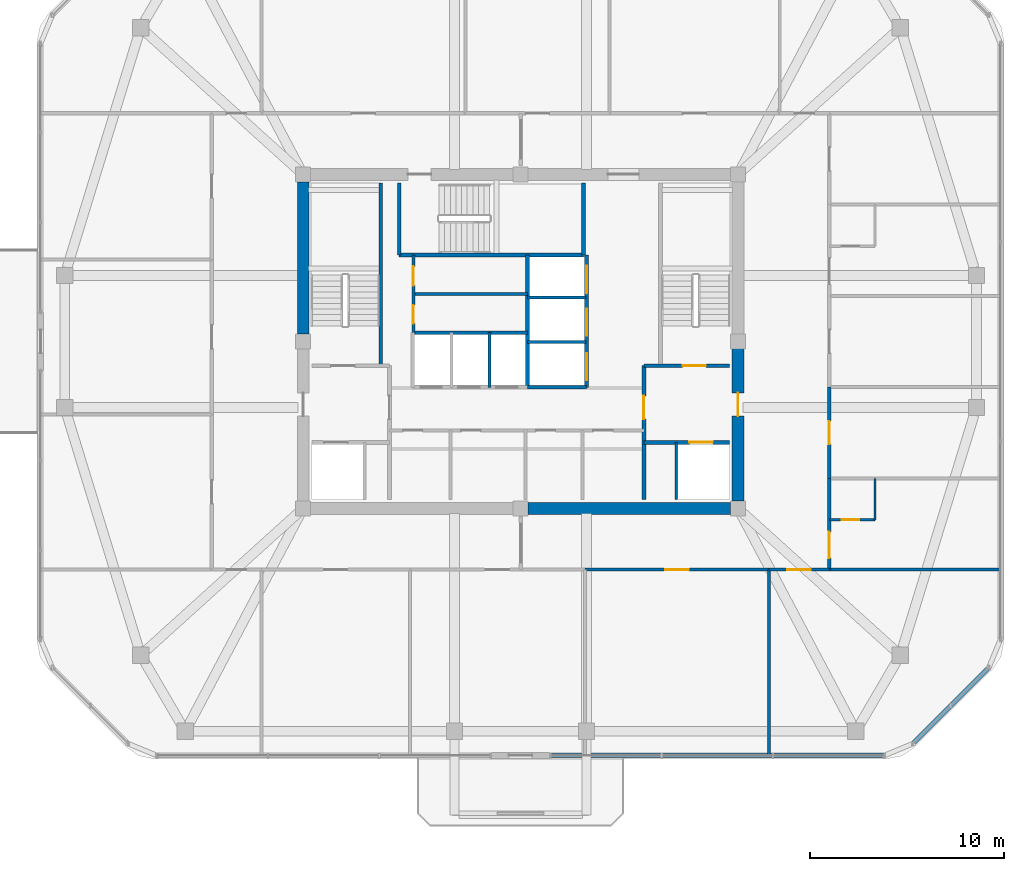
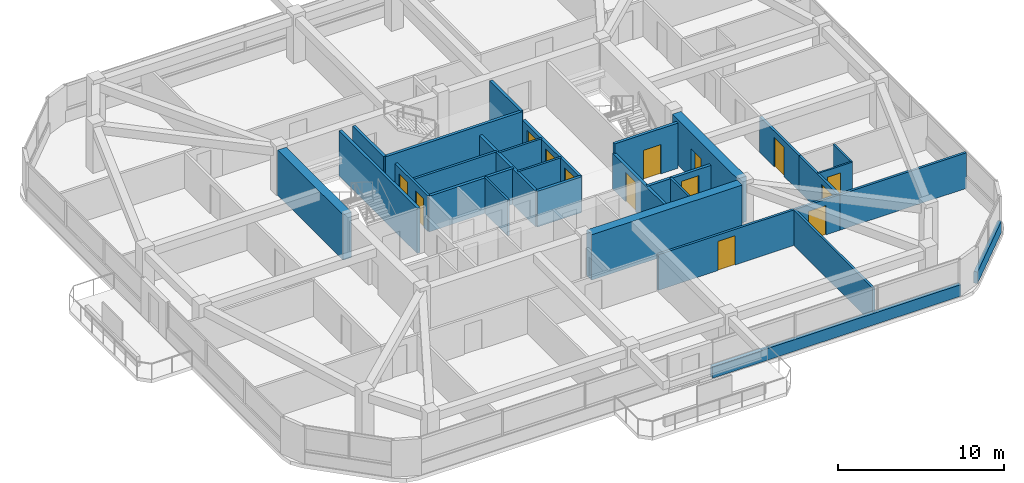
# One storey, part 9 of 13: 30 walls, 14 doors, 14 openings.
"""IFC4 building model written with IfcOpenShell, lengths in metres."""

from ifc_helpers import new_model, si_unit, derived_unit, direction, frame, frame_2d, origin, place, context, subcontext, project, spatial, rectangle, extrude, material, layer, layer_set, type_object, element, fill, save


model = new_model("IFC4")

# Units and contexts
model_context = context("Model", 3, precision=1e-05, world=origin(), true_north=direction((0.0, 1.0)))
body_context = subcontext(model_context, "Body", "Model", "MODEL_VIEW")
ifc_project = project(units=[si_unit("LENGTHUNIT", "METRE"), si_unit("AREAUNIT", "SQUARE_METRE"), si_unit("VOLUMEUNIT", "CUBIC_METRE"), si_unit("PLANEANGLEUNIT", "RADIAN"), si_unit("MASSUNIT", "GRAM", prefix="KILO"), derived_unit("THERMALTRANSMITTANCEUNIT", [(si_unit("POWERUNIT", "WATT"), 1), (si_unit("LENGTHUNIT", "METRE"), -2), (si_unit("THERMODYNAMICTEMPERATUREUNIT", "KELVIN"), -1)])], contexts=[model_context])

# Site, building, storey
site_placement = place(None, origin())
site = spatial("IfcSite", under=ifc_project, at=site_placement, CompositionType="ELEMENT")
building_placement = place(site_placement, origin())
building = spatial("IfcBuilding", under=site, at=building_placement, Name="Koralith Skygarden Medical Center", CompositionType="ELEMENT")
storey_placement = place(building_placement, frame((0.0, 0.0, 264.419921875)))
storey = spatial("IfcBuildingStorey", under=building, at=storey_placement, Name="L68", CompositionType="ELEMENT", Elevation=264.419921875)

# Walls
ifc_material_1 = material(Name="Gypsum Board Partition")
ifc_layer_1 = layer(ifc_material_1, 0.14990234375)
ifc_layer_set_1 = layer_set([ifc_layer_1], Name="Gypsum Board Partition")
wall_type_1 = type_object("IfcWallType", Name="Clinical Acoustic Partition 150", PredefinedType="PARTITIONING", material=ifc_layer_set_1)
wall_1_placement = place(storey_placement, frame((49.787109375, 14.14990234375, 0.0), z_axis=(0.0, 0.0, 1.0), x_axis=(0.0, -1.0, 0.0)))
element("IfcWall", 1, at=wall_1_placement, inside=storey, type_object=wall_type_1, Name="L68 Clinical Acoustic Partition 150 W-PART-L68-S-04", PredefinedType="PARTITIONING", context=body_context, shape_type="SweptSolid", body=[
    extrude(rectangle(XDim=9.5498046875, YDim=0.14990234375, at=frame_2d((4.77490234375, 0.0))), origin(), (0.0, 0.0, 1.0), 2.610107421875),
])
ifc_layer_2 = layer(ifc_material_1, 0.1650390625)
ifc_layer_set_2 = layer_set([ifc_layer_2], Name="Gypsum Board Partition")
wall_type_2 = type_object("IfcWallType", Name="Clinical Corridor Partition 165", PredefinedType="PARTITIONING", material=ifc_layer_set_2)
wall_2_placement = place(storey_placement, frame((52.89990234375, 14.14990234375, 0.0), z_axis=(0.0, 0.0, 1.0), x_axis=(1.0, 0.0, 0.0)))
element("IfcWall", 2, at=wall_2_placement, inside=storey, type_object=wall_type_2, Name="L68 Clinical Corridor Partition 165 W-WB-L68-SE", PredefinedType="PARTITIONING", context=body_context, shape_type="SweptSolid", body=[
    extrude(rectangle(XDim=8.800048828125, YDim=0.1650390625, at=frame_2d((4.39990234375, 0.0))), origin(), (0.0, 0.0, 1.0), 2.610107421875),
])

# Wall, opening, door
wall_3_placement = place(storey_placement, frame((40.31494140625, 14.14990234375, 0.0), z_axis=(0.0, 0.0, 1.0), x_axis=(1.0, 0.0, 0.0)))
wall_3 = element("IfcWall", 3, at=wall_3_placement, inside=storey, type_object=wall_type_2, Name="L68 Clinical Corridor Partition 165 W-CORR-L68-S-04", PredefinedType="PARTITIONING", context=body_context, shape_type="SweptSolid", body=[
    extrude(rectangle(XDim=9.47216796875, YDim=0.1650390625, at=frame_2d((4.736083984375, 0.0))), origin(), (0.0, 0.0, 1.0), 2.610107421875),
])
opening_1_placement = place(wall_3_placement, frame((4.135986328125, 0.0, 0.0)))
opening_1 = element("IfcOpeningElement", 4, at=opening_1_placement, cuts=wall_3, Name="Opening D-CLN", PredefinedType="OPENING", context=body_context, shape_type="SweptSolid", body=[
    extrude(rectangle(XDim=1.199951171875, YDim=2.14990234375, at=frame_2d((0.60009765625, 1.074951171875))), frame((0.0, 0.092529296875, 0.0), z_axis=(0.0, -1.0, 0.0), x_axis=(1.0, 0.0, 0.0)), (0.0, 0.0, 1.0), 0.18505859375),
])
ifc_material_2 = material(Name="Aluminium 6063-T6", Category="aluminium")
door_type_1 = type_object("IfcDoorType", Name="Clinical Corridor Door D-CLN 1200", OperationType="NOTDEFINED", PredefinedType="DOOR", material=ifc_material_2)
door_1_placement = place(opening_1_placement, frame((1.199951171875, 0.0, 0.0), z_axis=(0.0, 0.0, 1.0), x_axis=(-1.0, 0.0, 0.0)))
door_1 = element("IfcDoor", 5, at=door_1_placement, inside=storey, type_object=door_type_1, Name="L68 Epidemiology Huddle Room 09 Door", OperationType="SINGLE_SWING_RIGHT", OverallHeight=2.14990234375, OverallWidth=1.199951171875, PredefinedType="DOOR", context=body_context, shape_type="SweptSolid", body=[
    extrude(rectangle(XDim=1.199951171875, YDim=2.14990234375, at=frame_2d((0.60009765625, 1.074951171875))), frame((0.0, 0.02490234375, 0.0), z_axis=(0.0, -1.0, 0.0), x_axis=(1.0, 0.0, 0.0)), (0.0, 0.0, 1.0), 0.050048828125),
])
fill(opening_1, door_1)

wall_4_placement = place(storey_placement, frame((49.787109375, 14.14990234375, 0.0), z_axis=(0.0, 0.0, 1.0), x_axis=(1.0, 0.0, 0.0)))
wall_4 = element("IfcWall", 6, at=wall_4_placement, inside=storey, type_object=wall_type_2, Name="L68 Clinical Corridor Partition 165 W-CORR-L68-S-05", PredefinedType="PARTITIONING", context=body_context, shape_type="SweptSolid", body=[
    extrude(rectangle(XDim=3.11279296875, YDim=0.1650390625, at=frame_2d((1.556396484375, 0.0))), origin(), (0.0, 0.0, 1.0), 2.610107421875),
])
opening_2_placement = place(wall_4_placement, frame((0.9560546875, 0.0, 0.0)))
opening_2 = element("IfcOpeningElement", 7, at=opening_2_placement, cuts=wall_4, Name="Opening D-CLN", PredefinedType="OPENING", context=body_context, shape_type="SweptSolid", body=[
    extrude(rectangle(XDim=1.199951171875, YDim=2.14990234375, at=frame_2d((0.60009765625, 1.074951171875))), frame((0.0, 0.092529296875, 0.0), z_axis=(0.0, -1.0, 0.0), x_axis=(1.0, 0.0, 0.0)), (0.0, 0.0, 1.0), 0.18505859375),
])
door_2_placement = place(opening_2_placement, frame((1.199951171875, 0.0, 0.0), z_axis=(0.0, 0.0, 1.0), x_axis=(-1.0, 0.0, 0.0)))
door_2 = element("IfcDoor", 8, at=door_2_placement, inside=storey, type_object=door_type_1, Name="L68 Infectious Disease Consult Office 10 Door", OperationType="SINGLE_SWING_LEFT", OverallHeight=2.14990234375, OverallWidth=1.199951171875, PredefinedType="DOOR", context=body_context, shape_type="SweptSolid", body=[
    extrude(rectangle(XDim=1.199951171875, YDim=2.14990234375, at=frame_2d((0.60009765625, 1.074951171875))), frame((0.0, 0.02490234375, 0.0), z_axis=(0.0, -1.0, 0.0), x_axis=(1.0, 0.0, 0.0)), (0.0, 0.0, 1.0), 0.050048828125),
])
fill(opening_2, door_2)

wall_5_placement = place(storey_placement, frame((52.89990234375, 14.14990234375, 0.0), z_axis=(0.0, 0.0, 1.0), x_axis=(0.0, 1.0, 0.0)))
wall_5 = element("IfcWall", 9, at=wall_5_placement, inside=storey, type_object=wall_type_2, Name="L68 Clinical Corridor Partition 165 W-CORR-L68-E-01", PredefinedType="PARTITIONING", context=body_context, shape_type="SweptSolid", body=[
    extrude(rectangle(XDim=4.7001953125, YDim=0.1650390625, at=frame_2d((2.35009765625, 0.0))), origin(), (0.0, 0.0, 1.0), 2.610107421875),
])
opening_3_placement = place(wall_5_placement, frame((0.590087890625, 0.0, 0.0)))
opening_3 = element("IfcOpeningElement", 10, at=opening_3_placement, cuts=wall_5, Name="Opening D-BED", PredefinedType="OPENING", context=body_context, shape_type="SweptSolid", body=[
    extrude(rectangle(XDim=1.35009765625, YDim=2.14990234375, at=frame_2d((0.675048828125, 1.074951171875))), frame((0.0, 0.092529296875, 0.0), z_axis=(0.0, -1.0, 0.0), x_axis=(1.0, 0.0, 0.0)), (0.0, 0.0, 1.0), 0.18505859375),
])
door_type_2 = type_object("IfcDoorType", Name="Inpatient Bed Leaf Door D-BED 1350", OperationType="NOTDEFINED", PredefinedType="DOOR", material=ifc_material_2)
door_3_placement = place(opening_3_placement, origin())
door_3 = element("IfcDoor", 11, at=door_3_placement, inside=storey, type_object=door_type_2, Name="L68 Inpatient Bedroom 14 Door", OperationType="SINGLE_SWING_LEFT", OverallHeight=2.14990234375, OverallWidth=1.35009765625, PredefinedType="DOOR", context=body_context, shape_type="SweptSolid", body=[
    extrude(rectangle(XDim=1.35009765625, YDim=2.14990234375, at=frame_2d((0.675048828125, 1.074951171875))), frame((0.0, 0.02490234375, 0.0), z_axis=(0.0, -1.0, 0.0), x_axis=(1.0, 0.0, 0.0)), (0.0, 0.0, 1.0), 0.050048828125),
])
fill(opening_3, door_3)

wall_6_placement = place(storey_placement, frame((52.89990234375, 18.85009765625, 0.0), z_axis=(0.0, 0.0, 1.0), x_axis=(0.0, 1.0, 0.0)))
wall_6 = element("IfcWall", 12, at=wall_6_placement, inside=storey, type_object=wall_type_2, Name="L68 Clinical Corridor Partition 165 W-CORR-L68-E-02", PredefinedType="PARTITIONING", context=body_context, shape_type="SweptSolid", body=[
    extrude(rectangle(XDim=4.699951171875, YDim=0.1650390625, at=frame_2d((2.35009765625, 0.0))), origin(), (0.0, 0.0, 1.0), 2.610107421875),
])
opening_4_placement = place(wall_6_placement, frame((1.75, 0.0, 0.0)))
opening_4 = element("IfcOpeningElement", 13, at=opening_4_placement, cuts=wall_6, Name="Opening D-CLN", PredefinedType="OPENING", context=body_context, shape_type="SweptSolid", body=[
    extrude(rectangle(XDim=1.199951171875, YDim=2.14990234375, at=frame_2d((0.60009765625, 1.074951171875))), frame((0.0, 0.092529296875, 0.0), z_axis=(0.0, -1.0, 0.0), x_axis=(1.0, 0.0, 0.0)), (0.0, 0.0, 1.0), 0.18505859375),
])
door_4_placement = place(opening_4_placement, origin())
door_4 = element("IfcDoor", 14, at=door_4_placement, inside=storey, type_object=door_type_1, Name="L68 Epidemiology Huddle Room 15 Door", OperationType="SINGLE_SWING_RIGHT", OverallHeight=2.14990234375, OverallWidth=1.199951171875, PredefinedType="DOOR", context=body_context, shape_type="SweptSolid", body=[
    extrude(rectangle(XDim=1.199951171875, YDim=2.14990234375, at=frame_2d((0.60009765625, 1.074951171875))), frame((0.0, 0.02490234375, 0.0), z_axis=(0.0, -1.0, 0.0), x_axis=(1.0, 0.0, 0.0)), (0.0, 0.0, 1.0), 0.050048828125),
])
fill(opening_4, door_4)

ifc_layer_3 = layer(ifc_material_1, 0.199951171875)
ifc_layer_set_3 = layer_set([ifc_layer_3], Name="Gypsum Board Partition")
wall_type_3 = type_object("IfcWallType", Name="Fire Shaft Wall 200", PredefinedType="SOLIDWALL", material=ifc_layer_set_3)
wall_7_placement = place(storey_placement, frame((43.35009765625, 20.699951171875, 0.0), z_axis=(0.0, 0.0, 1.0), x_axis=(1.0, 0.0, 0.0)))
wall_7 = element("IfcWall", 15, at=wall_7_placement, inside=storey, type_object=wall_type_3, Name="L68 Fire Shaft Wall 200 W-CORE-L68-FF2-N", PredefinedType="SOLIDWALL", context=body_context, shape_type="SweptSolid", body=[
    extrude(rectangle(XDim=4.39990234375, YDim=0.199951171875, at=frame_2d((2.199951171875, 0.0))), origin(), (0.0, 0.0, 1.0), 2.610107421875),
])
opening_5_placement = place(wall_7_placement, frame((2.35009765625, 0.0, 0.0)))
opening_5 = element("IfcOpeningElement", 16, at=opening_5_placement, cuts=wall_7, Name="Opening LD-FF", PredefinedType="OPENING", context=body_context, shape_type="SweptSolid", body=[
    extrude(rectangle(XDim=1.199951171875, YDim=2.14990234375, at=frame_2d((0.60009765625, 1.074951171875))), frame((0.0, 0.10986328125, 0.0), z_axis=(0.0, -1.0, 0.0), x_axis=(1.0, 0.0, 0.0)), (0.0, 0.0, 1.0), 0.219970703125),
])
ifc_material_3 = material(Name="Steel ASTM A500 Grade C", Category="steel")
door_type_3 = type_object("IfcDoorType", Name="Fire Lift Sliding Landing Door LD-FF 1200", OperationType="NOTDEFINED", PredefinedType="DOOR", material=ifc_material_3)
door_5_placement = place(opening_5_placement, origin())
door_5 = element("IfcDoor", 17, at=door_5_placement, inside=storey, type_object=door_type_3, Name="L68 Fire Service Elevator FF2 Landing Door", OperationType="SLIDING_TO_RIGHT", OverallHeight=2.14990234375, OverallWidth=1.199951171875, PredefinedType="DOOR", context=body_context, shape_type="SweptSolid", body=[
    extrude(rectangle(XDim=1.199951171875, YDim=2.14990234375, at=frame_2d((0.60009765625, 1.074951171875))), frame((0.0, 0.02490234375, 0.0), z_axis=(0.0, -1.0, 0.0), x_axis=(1.0, 0.0, 0.0)), (0.0, 0.0, 1.0), 0.050048828125),
])
fill(opening_5, door_5)

wall_8_placement = place(storey_placement, frame((43.35009765625, 17.75, 0.0), z_axis=(0.0, 0.0, 1.0), x_axis=(0.0, 1.0, 0.0)))
wall_8 = element("IfcWall", 18, at=wall_8_placement, inside=storey, type_object=wall_type_3, Name="L68 Fire Shaft Wall 200 W-CORE-L68-FSAEE-W", PredefinedType="SOLIDWALL", context=body_context, shape_type="SweptSolid", body=[
    extrude(rectangle(XDim=6.89990234375, YDim=0.199951171875, at=frame_2d((3.449951171875, 0.0))), origin(), (0.0, 0.0, 1.0), 2.610107421875),
])
opening_6_placement = place(wall_8_placement, frame((4.14990234375, 0.0, 0.0)))
opening_6 = element("IfcOpeningElement", 19, at=opening_6_placement, cuts=wall_8, Name="Opening D-ST60", PredefinedType="OPENING", context=body_context, shape_type="SweptSolid", body=[
    extrude(rectangle(XDim=1.199951171875, YDim=2.14990234375, at=frame_2d((0.60009765625, 1.074951171875))), frame((0.0, 0.10986328125, 0.0), z_axis=(0.0, -1.0, 0.0), x_axis=(1.0, 0.0, 0.0)), (0.0, 0.0, 1.0), 0.219970703125),
])
door_type_4 = type_object("IfcDoorType", Name="Smokeproof Stair Fire Door FD60S 1200", OperationType="NOTDEFINED", PredefinedType="DOOR", material=ifc_material_3)
door_6_placement = place(opening_6_placement, frame((1.199951171875, 0.0, 0.0), z_axis=(0.0, 0.0, 1.0), x_axis=(-1.0, 0.0, 0.0)))
door_6 = element("IfcDoor", 20, at=door_6_placement, inside=storey, type_object=door_type_4, Name="L68 East Firefighting Lobby Inner Fire Door", OperationType="SINGLE_SWING_RIGHT", OverallHeight=2.14990234375, OverallWidth=1.199951171875, PredefinedType="DOOR", context=body_context, shape_type="SweptSolid", body=[
    extrude(rectangle(XDim=1.199951171875, YDim=2.14990234375, at=frame_2d((0.60009765625, 1.074951171875))), frame((0.0, 0.02490234375, 0.0), z_axis=(0.0, -1.0, 0.0), x_axis=(1.0, 0.0, 0.0)), (0.0, 0.0, 1.0), 0.050048828125),
])
fill(opening_6, door_6)

# Walls
wall_9_placement = place(storey_placement, frame((31.449951171875, 26.35009765625, 0.0), z_axis=(0.0, 0.0, 1.0), x_axis=(1.0, 0.0, 0.0)))
element("IfcWall", 21, at=wall_9_placement, inside=storey, type_object=wall_type_3, Name="L68 Fire Shaft Wall 200 W-CORE-L68-PH-N", PredefinedType="SOLIDWALL", context=body_context, shape_type="SweptSolid", body=[
    extrude(rectangle(XDim=5.900146484375, YDim=0.199951171875, at=frame_2d((2.9501953125, 0.0))), origin(), (0.0, 0.0, 1.0), 2.610107421875),
])
wall_10_placement = place(storey_placement, frame((37.35009765625, 23.5400390625, 0.0), z_axis=(0.0, 0.0, 1.0), x_axis=(0.0, 1.0, 0.0)))
element("IfcWall", 22, at=wall_10_placement, inside=storey, type_object=wall_type_3, Name="L68 Fire Shaft Wall 200 W-CORE-L68-SV-W", PredefinedType="SOLIDWALL", context=body_context, shape_type="SweptSolid", body=[
    extrude(rectangle(XDim=6.820068359375, YDim=0.199951171875, at=frame_2d((3.41015625, 0.0))), origin(), (0.0, 0.0, 1.0), 2.610107421875),
])
wall_11_placement = place(storey_placement, frame((37.35009765625, 23.5400390625, 0.0), z_axis=(0.0, 0.0, 1.0), x_axis=(1.0, 0.0, 0.0)))
element("IfcWall", 23, at=wall_11_placement, inside=storey, type_object=wall_type_3, Name="L68 Fire Shaft Wall 200 W-CORE-L68-SV-S", PredefinedType="SOLIDWALL", context=body_context, shape_type="SweptSolid", body=[
    extrude(rectangle(XDim=3.0498046875, YDim=0.199951171875, at=frame_2d((1.52490234375, 0.0))), origin(), (0.0, 0.0, 1.0), 2.610107421875),
])

# Wall, openings, doors
wall_12_placement = place(storey_placement, frame((40.39990234375, 23.5400390625, 0.0), z_axis=(0.0, 0.0, 1.0), x_axis=(0.0, 1.0, 0.0)))
wall_12 = element("IfcWall", 24, at=wall_12_placement, inside=storey, type_object=wall_type_3, Name="L68 Fire Shaft Wall 200 W-CORE-L68-SV-E", PredefinedType="SOLIDWALL", context=body_context, shape_type="SweptSolid", body=[
    extrude(rectangle(XDim=6.820068359375, YDim=0.199951171875, at=frame_2d((3.41015625, 0.0))), origin(), (0.0, 0.0, 1.0), 2.610107421875),
])
opening_7_placement = place(wall_12_placement, frame((0.35009765625, 0.0, 0.0)))
opening_7 = element("IfcOpeningElement", 25, at=opening_7_placement, cuts=wall_12, Name="Opening LD-SV", PredefinedType="OPENING", context=body_context, shape_type="SweptSolid", body=[
    extrude(rectangle(XDim=1.39990234375, YDim=2.199951171875, at=frame_2d((0.699951171875, 1.10009765625))), frame((0.0, 0.10986328125, 0.0), z_axis=(0.0, -1.0, 0.0), x_axis=(1.0, 0.0, 0.0)), (0.0, 0.0, 1.0), 0.219970703125),
])
opening_8_placement = place(wall_12_placement, frame((2.64990234375, 0.0, 0.0)))
opening_8 = element("IfcOpeningElement", 26, at=opening_8_placement, cuts=wall_12, Name="Opening LD-SV", PredefinedType="OPENING", context=body_context, shape_type="SweptSolid", body=[
    extrude(rectangle(XDim=1.39990234375, YDim=2.199951171875, at=frame_2d((0.699951171875, 1.10009765625))), frame((0.0, 0.10986328125, 0.0), z_axis=(0.0, -1.0, 0.0), x_axis=(1.0, 0.0, 0.0)), (0.0, 0.0, 1.0), 0.219970703125),
])
opening_9_placement = place(wall_12_placement, frame((4.85009765625, 0.0, 0.0)))
opening_9 = element("IfcOpeningElement", 27, at=opening_9_placement, cuts=wall_12, Name="Opening LD-SV", PredefinedType="OPENING", context=body_context, shape_type="SweptSolid", body=[
    extrude(rectangle(XDim=1.39990234375, YDim=2.199951171875, at=frame_2d((0.699951171875, 1.10009765625))), frame((0.0, 0.10986328125, 0.0), z_axis=(0.0, -1.0, 0.0), x_axis=(1.0, 0.0, 0.0)), (0.0, 0.0, 1.0), 0.219970703125),
])
door_type_5 = type_object("IfcDoorType", Name="Bed Lift Sliding Landing Door LD-SV 1400", OperationType="NOTDEFINED", PredefinedType="DOOR", material=ifc_material_3)
door_7_placement = place(opening_7_placement, origin())
door_7 = element("IfcDoor", 28, at=door_7_placement, inside=storey, type_object=door_type_5, Name="L68 Bed Elevator BD1 Landing Door", OperationType="SLIDING_TO_LEFT", OverallHeight=2.199951171875, OverallWidth=1.39990234375, PredefinedType="DOOR", context=body_context, shape_type="SweptSolid", body=[
    extrude(rectangle(XDim=1.39990234375, YDim=2.199951171875, at=frame_2d((0.699951171875, 1.10009765625))), frame((0.0, 0.02490234375, 0.0), z_axis=(0.0, -1.0, 0.0), x_axis=(1.0, 0.0, 0.0)), (0.0, 0.0, 1.0), 0.050048828125),
])
fill(opening_7, door_7)
door_8_placement = place(opening_8_placement, origin())
door_8 = element("IfcDoor", 29, at=door_8_placement, inside=storey, type_object=door_type_5, Name="L68 Service Elevator BD2 Landing Door", OperationType="SLIDING_TO_LEFT", OverallHeight=2.199951171875, OverallWidth=1.39990234375, PredefinedType="DOOR", context=body_context, shape_type="SweptSolid", body=[
    extrude(rectangle(XDim=1.39990234375, YDim=2.199951171875, at=frame_2d((0.699951171875, 1.10009765625))), frame((0.0, 0.02490234375, 0.0), z_axis=(0.0, -1.0, 0.0), x_axis=(1.0, 0.0, 0.0)), (0.0, 0.0, 1.0), 0.050048828125),
])
fill(opening_8, door_8)
door_9_placement = place(opening_9_placement, origin())
door_9 = element("IfcDoor", 30, at=door_9_placement, inside=storey, type_object=door_type_5, Name="L68 Trauma Elevator TR1 Landing Door", OperationType="SLIDING_TO_RIGHT", OverallHeight=2.199951171875, OverallWidth=1.39990234375, PredefinedType="DOOR", context=body_context, shape_type="SweptSolid", body=[
    extrude(rectangle(XDim=1.39990234375, YDim=2.199951171875, at=frame_2d((0.699951171875, 1.10009765625))), frame((0.0, 0.02490234375, 0.0), z_axis=(0.0, -1.0, 0.0), x_axis=(1.0, 0.0, 0.0)), (0.0, 0.0, 1.0), 0.050048828125),
])
fill(opening_9, door_9)

# Walls
ifc_material_4 = material(Name="Warm Oolitic Limestone Cladding", Category="masonry")
ifc_layer_4 = layer(ifc_material_4, 0.239990234375)
ifc_layer_set_4 = layer_set([ifc_layer_4], Name="Warm Oolitic Limestone Cladding")
wall_type_4 = type_object("IfcWallType", Name="Limestone Spandrel Sill Backup Wall 240", PredefinedType="SOLIDWALL", material=ifc_layer_set_4)
wall_13_placement = place(storey_placement, frame((38.5390625, 4.580078125, 0.0), z_axis=(0.0, 0.0, 1.0), x_axis=(1.0, 0.0, 0.0)))
element("IfcWall", 31, at=wall_13_placement, inside=storey, type_object=wall_type_4, Name="L68 Sill Spandrel S-R", PredefinedType="SOLIDWALL", context=body_context, shape_type="SweptSolid", body=[
    extrude(rectangle(XDim=17.2060546875, YDim=0.239990234375, at=frame_2d((8.60302734375, 0.0))), origin(), (0.0, 0.0, 1.0), 0.85009765625),
])
wall_14_placement = place(storey_placement, frame((57.196044921875, 5.180908203125, 0.0), z_axis=(0.0, 0.0, 1.0), x_axis=(0.707084777957, 0.707128783731, 0.0)))
element("IfcWall", 32, at=wall_14_placement, inside=storey, type_object=wall_type_4, Name="L68 Sill Spandrel SE", PredefinedType="SOLIDWALL", context=body_context, shape_type="SweptSolid", body=[
    extrude(rectangle(XDim=5.5478515625, YDim=0.239990234375, at=frame_2d((2.77392578125, 0.0))), origin(), (0.0, 0.0, 1.0), 0.85009765625),
])

# Wall, opening, door
ifc_layer_5 = layer(ifc_material_1, 0.1201171875)
ifc_layer_set_5 = layer_set([ifc_layer_5], Name="Gypsum Board Partition")
wall_type_5 = type_object("IfcWallType", Name="Plumbing Wet Wall 120", PredefinedType="PLUMBINGWALL", material=ifc_layer_set_5)
wall_15_placement = place(storey_placement, frame((52.89990234375, 16.7099609375, 0.0), z_axis=(0.0, 0.0, 1.0), x_axis=(1.0, 0.0, 0.0)))
wall_15 = element("IfcWall", 33, at=wall_15_placement, inside=storey, type_object=wall_type_5, Name="L68 Plumbing Wet Wall 120 W-ENS-L68-14A", PredefinedType="PLUMBINGWALL", context=body_context, shape_type="SweptSolid", body=[
    extrude(rectangle(XDim=2.360107421875, YDim=0.1201171875, at=frame_2d((1.18017578125, 0.0))), origin(), (0.0, 0.0, 1.0), 2.610107421875),
])
opening_10_placement = place(wall_15_placement, frame((0.64990234375, 0.0, 0.0)))
opening_10 = element("IfcOpeningElement", 34, at=opening_10_placement, cuts=wall_15, Name="Opening D-ENS", PredefinedType="OPENING", context=body_context, shape_type="SweptSolid", body=[
    extrude(rectangle(XDim=0.89990234375, YDim=2.10009765625, at=frame_2d((0.449951171875, 1.050048828125))), frame((0.0, 0.070068359375, 0.0), z_axis=(0.0, -1.0, 0.0), x_axis=(1.0, 0.0, 0.0)), (0.0, 0.0, 1.0), 0.14013671875),
])
door_type_6 = type_object("IfcDoorType", Name="En-Suite Bathroom Door D-ENS 900", OperationType="NOTDEFINED", PredefinedType="DOOR", material=ifc_material_2)
door_10_placement = place(opening_10_placement, frame((0.89990234375, 0.0, 0.0), z_axis=(0.0, 0.0, 1.0), x_axis=(-1.0, 0.0, 0.0)))
door_10 = element("IfcDoor", 35, at=door_10_placement, inside=storey, type_object=door_type_6, Name="L68 En-Suite 14 Door", OperationType="SINGLE_SWING_LEFT", OverallHeight=2.10009765625, OverallWidth=0.89990234375, PredefinedType="DOOR", context=body_context, shape_type="SweptSolid", body=[
    extrude(rectangle(XDim=0.89990234375, YDim=2.10009765625, at=frame_2d((0.449951171875, 1.050048828125))), frame((0.0, 0.02490234375, 0.0), z_axis=(0.0, -1.0, 0.0), x_axis=(1.0, 0.0, 0.0)), (0.0, 0.0, 1.0), 0.050048828125),
])
fill(opening_10, door_10)

# Wall
wall_16_placement = place(storey_placement, frame((55.260009765625, 16.7099609375, 0.0), z_axis=(0.0, 0.0, 1.0), x_axis=(0.0, 1.0, 0.0)))
element("IfcWall", 36, at=wall_16_placement, inside=storey, type_object=wall_type_5, Name="L68 Plumbing Wet Wall 120 W-ENS-L68-14B", PredefinedType="PLUMBINGWALL", context=body_context, shape_type="SweptSolid", body=[
    extrude(rectangle(XDim=2.14013671875, YDim=0.1201171875, at=frame_2d((1.070068359375, 0.0))), origin(), (0.0, 0.0, 1.0), 2.610107421875),
])

# Wall, openings, doors
ifc_layer_6 = layer(ifc_material_1, 0.1650390625)
ifc_layer_set_6 = layer_set([ifc_layer_6], Name="Gypsum Board Partition")
wall_type_6 = type_object("IfcWallType", Name="Plumbing Wet Wall 165", PredefinedType="PLUMBINGWALL", material=ifc_layer_set_6)
wall_17_placement = place(storey_placement, frame((31.47998046875, 26.320068359375, 0.0), z_axis=(0.0, 0.0, 1.0), x_axis=(0.0, 1.0, 0.0)))
wall_17 = element("IfcWall", 37, at=wall_17_placement, inside=storey, type_object=wall_type_6, Name="L68 Plumbing Wet Wall 165 W-CORE-L68-FLEX-W", PredefinedType="PLUMBINGWALL", context=body_context, shape_type="SweptSolid", body=[
    extrude(rectangle(XDim=4.0400390625, YDim=0.1650390625, at=frame_2d((2.02001953125, 0.0))), origin(), (0.0, 0.0, 1.0), 2.610107421875),
])
opening_11_placement = place(wall_17_placement, frame((0.5, 0.0, 0.0)))
opening_11 = element("IfcOpeningElement", 38, at=opening_11_placement, cuts=wall_17, Name="Opening D-WC", PredefinedType="OPENING", context=body_context, shape_type="SweptSolid", body=[
    extrude(rectangle(XDim=0.949951171875, YDim=2.10009765625, at=frame_2d((0.47509765625, 1.050048828125))), frame((0.0, 0.092529296875, 0.0), z_axis=(0.0, -1.0, 0.0), x_axis=(1.0, 0.0, 0.0)), (0.0, 0.0, 1.0), 0.18505859375),
])
opening_12_placement = place(wall_17_placement, frame((2.449951171875, 0.0, 0.0)))
opening_12 = element("IfcOpeningElement", 39, at=opening_12_placement, cuts=wall_17, Name="Opening D-SUP", PredefinedType="OPENING", context=body_context, shape_type="SweptSolid", body=[
    extrude(rectangle(XDim=1.0, YDim=2.14990234375, at=frame_2d((0.5, 1.074951171875))), frame((0.0, 0.092529296875, 0.0), z_axis=(0.0, -1.0, 0.0), x_axis=(1.0, 0.0, 0.0)), (0.0, 0.0, 1.0), 0.18505859375),
])
door_type_7 = type_object("IfcDoorType", Name="Accessible Toilet Door D-WC 950", OperationType="NOTDEFINED", PredefinedType="DOOR", material=ifc_material_2)
door_11_placement = place(opening_11_placement, frame((0.949951171875, 0.0, 0.0), z_axis=(0.0, 0.0, 1.0), x_axis=(-1.0, 0.0, 0.0)))
door_11 = element("IfcDoor", 40, at=door_11_placement, inside=storey, type_object=door_type_7, Name="L68 Core Accessible WC Door", OperationType="SINGLE_SWING_LEFT", OverallHeight=2.10009765625, OverallWidth=0.949951171875, PredefinedType="DOOR", context=body_context, shape_type="SweptSolid", body=[
    extrude(rectangle(XDim=0.949951171875, YDim=2.10009765625, at=frame_2d((0.47509765625, 1.050048828125))), frame((0.0, 0.02490234375, 0.0), z_axis=(0.0, -1.0, 0.0), x_axis=(1.0, 0.0, 0.0)), (0.0, 0.0, 1.0), 0.050048828125),
])
fill(opening_11, door_11)
door_type_8 = type_object("IfcDoorType", Name="Clinical Support Door D-SUP 1000", OperationType="NOTDEFINED", PredefinedType="DOOR", material=ifc_material_2)
door_12_placement = place(opening_12_placement, frame((1.0, 0.0, 0.0), z_axis=(0.0, 0.0, 1.0), x_axis=(-1.0, 0.0, 0.0)))
door_12 = element("IfcDoor", 41, at=door_12_placement, inside=storey, type_object=door_type_8, Name="L68 Core Clean Utility Door", OperationType="SINGLE_SWING_RIGHT", OverallHeight=2.14990234375, OverallWidth=1.0, PredefinedType="DOOR", context=body_context, shape_type="SweptSolid", body=[
    extrude(rectangle(XDim=1.0, YDim=2.14990234375, at=frame_2d((0.5, 1.074951171875))), frame((0.0, 0.02490234375, 0.0), z_axis=(0.0, -1.0, 0.0), x_axis=(1.0, 0.0, 0.0)), (0.0, 0.0, 1.0), 0.050048828125),
])
fill(opening_12, door_12)

# Walls
wall_18_placement = place(storey_placement, frame((31.47998046875, 28.340087890625, 0.0), z_axis=(0.0, 0.0, 1.0), x_axis=(1.0, 0.0, 0.0)))
element("IfcWall", 42, at=wall_18_placement, inside=storey, type_object=wall_type_6, Name="L68 Plumbing Wet Wall 165 W-CORE-L68-FLEX-H0", PredefinedType="PLUMBINGWALL", context=body_context, shape_type="SweptSolid", body=[
    extrude(rectangle(XDim=5.8701171875, YDim=0.1650390625, at=frame_2d((2.93505859375, 0.0))), origin(), (0.0, 0.0, 1.0), 2.610107421875),
])
ifc_layer_7 = layer(ifc_material_1, 0.14990234375)
ifc_layer_set_7 = layer_set([ifc_layer_7], Name="Gypsum Board Partition")
wall_type_7 = type_object("IfcWallType", Name="Shaft Partition Wall 150", PredefinedType="PARTITIONING", material=ifc_layer_set_7)
wall_19_placement = place(storey_placement, frame((45.02001953125, 17.75, 0.0), z_axis=(0.0, 0.0, 1.0), x_axis=(0.0, 1.0, 0.0)))
element("IfcWall", 43, at=wall_19_placement, inside=storey, type_object=wall_type_7, Name="L68 Shaft Partition Wall 150 W-CORE-L68-RSRE-DIV", PredefinedType="PARTITIONING", context=body_context, shape_type="SweptSolid", body=[
    extrude(rectangle(XDim=2.949951171875, YDim=0.14990234375, at=frame_2d((1.47509765625, 0.0))), origin(), (0.0, 0.0, 1.0), 2.610107421875),
])
wall_20_placement = place(storey_placement, frame((35.39990234375, 23.5400390625, 0.0), z_axis=(0.0, 0.0, 1.0), x_axis=(0.0, 1.0, 0.0)))
element("IfcWall", 44, at=wall_20_placement, inside=storey, type_object=wall_type_7, Name="L68 Shaft Partition Wall 150 W-CORE-L68-PH-D2", PredefinedType="PARTITIONING", context=body_context, shape_type="SweptSolid", body=[
    extrude(rectangle(XDim=2.81005859375, YDim=0.14990234375, at=frame_2d((1.405029296875, 0.0))), origin(), (0.0, 0.0, 1.0), 2.610107421875),
])
for number, where, z_axis, x_axis, name in (
    (45, (37.3701171875, 25.8701171875, 0.0), (0.0, 0.0, 1.0), (1.0, 0.0, 0.0), "L68 Shaft Partition Wall 150 W-CORE-L68-SV-D1"),
    (46, (37.3701171875, 28.169921875, 0.0), (0.0, 0.0, 1.0), (1.0, 0.0, 0.0), "L68 Shaft Partition Wall 150 W-CORE-L68-SV-D2"),
):
    element("IfcWall", number, at=place(storey_placement, frame(where, z_axis=z_axis, x_axis=x_axis)), inside=storey, type_object=wall_type_7, Name=name, PredefinedType="PARTITIONING", context=body_context, shape_type="SweptSolid", body=[
        extrude(rectangle(XDim=3.009765625, YDim=0.14990234375, at=frame_2d((1.5048828125, 0.0))), origin(), (0.0, 0.0, 1.0), 2.610107421875),
    ])
ifc_material_5 = material(Name="Concrete C45/55", Category="concrete")
ifc_layer_8 = layer(ifc_material_5, 0.199951171875)
ifc_layer_set_8 = layer_set([ifc_layer_8], Name="Concrete C45/55")
wall_type_8 = type_object("IfcWallType", Name="Structural Stair Shaft Wall 200", PredefinedType="SHEAR", material=ifc_layer_set_8)
wall_21_placement = place(storey_placement, frame((29.800048828125, 24.64990234375, 0.0), z_axis=(0.0, 0.0, 1.0), x_axis=(0.0, 1.0, 0.0)))
element("IfcWall", 47, at=wall_21_placement, inside=storey, type_object=wall_type_8, Name="L68 Structural Stair Shaft Wall 200 W-CORE-L68-ST1-E", PredefinedType="SHEAR", context=body_context, shape_type="SweptSolid", body=[
    extrude(rectangle(XDim=9.400146484375, YDim=0.199951171875, at=frame_2d((4.7001953125, 0.0))), origin(), (0.0, 0.0, 1.0), 3.320068359375),
])

# Wall, opening, door
wall_22_placement = place(storey_placement, frame((43.35009765625, 24.64990234375, 0.0), z_axis=(0.0, 0.0, 1.0), x_axis=(1.0, 0.0, 0.0)))
wall_22 = element("IfcWall", 48, at=wall_22_placement, inside=storey, type_object=wall_type_8, Name="L68 Structural Stair Shaft Wall 200 W-CORE-L68-ST2-S", PredefinedType="SHEAR", context=body_context, shape_type="SweptSolid", body=[
    extrude(rectangle(XDim=4.39990234375, YDim=0.199951171875, at=frame_2d((2.199951171875, 0.0))), origin(), (0.0, 0.0, 1.0), 3.320068359375),
])
opening_13_placement = place(wall_22_placement, frame((2.0, 0.0, 0.0)))
opening_13 = element("IfcOpeningElement", 49, at=opening_13_placement, cuts=wall_22, Name="Opening D-ST60", PredefinedType="OPENING", context=body_context, shape_type="SweptSolid", body=[
    extrude(rectangle(XDim=1.199951171875, YDim=2.14990234375, at=frame_2d((0.60009765625, 1.074951171875))), frame((0.0, 0.10986328125, 0.0), z_axis=(0.0, -1.0, 0.0), x_axis=(1.0, 0.0, 0.0)), (0.0, 0.0, 1.0), 0.219970703125),
])
door_13_placement = place(opening_13_placement, origin())
door_13 = element("IfcDoor", 50, at=door_13_placement, inside=storey, type_object=door_type_4, Name="L68 Exit Stair ST2 Fire Door", OperationType="SINGLE_SWING_RIGHT", OverallHeight=2.14990234375, OverallWidth=1.199951171875, PredefinedType="DOOR", context=body_context, shape_type="SweptSolid", body=[
    extrude(rectangle(XDim=1.199951171875, YDim=2.14990234375, at=frame_2d((0.60009765625, 1.074951171875))), frame((0.0, 0.02490234375, 0.0), z_axis=(0.0, -1.0, 0.0), x_axis=(1.0, 0.0, 0.0)), (0.0, 0.0, 1.0), 0.050048828125),
])
fill(opening_13, door_13)

# Walls
wall_23_placement = place(storey_placement, frame((30.75, 30.360107421875, 0.0), z_axis=(0.0, 0.0, 1.0), x_axis=(1.0, 0.0, 0.0)))
element("IfcWall", 51, at=wall_23_placement, inside=storey, type_object=wall_type_8, Name="L68 Structural Stair Shaft Wall 200 W-CORE-L68-ST3-S", PredefinedType="SHEAR", context=body_context, shape_type="SweptSolid", body=[
    extrude(rectangle(XDim=9.5, YDim=0.199951171875, at=frame_2d((4.75, 0.0))), origin(), (0.0, 0.0, 1.0), 3.320068359375),
])
for number, where, z_axis, x_axis, name in (
    (52, (30.75, 30.360107421875, 0.0), (0.0, 0.0, 1.0), (0.0, 1.0, 0.0), "L68 Structural Stair Shaft Wall 200 W-CORE-L68-ST3-W"),
    (53, (40.25, 30.360107421875, 0.0), (0.0, 0.0, 1.0), (0.0, 1.0, 0.0), "L68 Structural Stair Shaft Wall 200 W-CORE-L68-ST3-E"),
):
    element("IfcWall", number, at=place(storey_placement, frame(where, z_axis=z_axis, x_axis=x_axis)), inside=storey, type_object=wall_type_8, Name=name, PredefinedType="SHEAR", context=body_context, shape_type="SweptSolid", body=[
        extrude(rectangle(XDim=3.68994140625, YDim=0.199951171875, at=frame_2d((1.844970703125, 0.0))), origin(), (0.0, 0.0, 1.0), 3.320068359375),
    ])
ifc_material_6 = material(Name="Concrete C55/67", Category="concrete")
ifc_layer_9 = layer(ifc_material_6, 0.60009765625)
ifc_layer_set_9 = layer_set([ifc_layer_9], Name="Concrete C55/67")
wall_type_9 = type_object("IfcWallType", Name="Upper Core Shear Wall 600", PredefinedType="SHEAR", material=ifc_layer_set_9)
wall_24_placement = place(storey_placement, frame((37.375, 17.300048828125, 0.0), z_axis=(0.0, 0.0, 1.0), x_axis=(1.0, 0.0, 0.0)))
element("IfcWall", 54, at=wall_24_placement, inside=storey, type_object=wall_type_9, Name="L68 Core Shear Wall Segment 2", PredefinedType="SHEAR", context=body_context, shape_type="SweptSolid", body=[
    extrude(rectangle(XDim=10.449951171875, YDim=0.60009765625, at=frame_2d((5.22509765625, 0.0))), origin(), (0.0, 0.0, 1.0), 3.320068359375),
])

# Wall, opening, door
wall_25_placement = place(storey_placement, frame((48.199951171875, 17.675048828125, 0.0), z_axis=(0.0, 0.0, 1.0), x_axis=(0.0, 1.0, 0.0)))
wall_25 = element("IfcWall", 55, at=wall_25_placement, inside=storey, type_object=wall_type_9, Name="L68 Core Shear Wall Segment 3", PredefinedType="SHEAR", context=body_context, shape_type="SweptSolid", body=[
    extrude(rectangle(XDim=7.849853515625, YDim=0.60009765625, at=frame_2d((3.9248046875, 0.0))), origin(), (0.0, 0.0, 1.0), 3.320068359375),
])
opening_14_placement = place(wall_25_placement, frame((4.375, 0.0, 0.0)))
opening_14 = element("IfcOpeningElement", 56, at=opening_14_placement, cuts=wall_25, Name="Opening D-ST60", PredefinedType="OPENING", context=body_context, shape_type="SweptSolid", body=[
    extrude(rectangle(XDim=1.199951171875, YDim=2.14990234375, at=frame_2d((0.60009765625, 1.074951171875))), frame((0.0, 0.31005859375, 0.0), z_axis=(0.0, -1.0, 0.0), x_axis=(1.0, 0.0, 0.0)), (0.0, 0.0, 1.0), 0.6201171875),
])
door_14_placement = place(opening_14_placement, frame((1.199951171875, 0.0, 0.0), z_axis=(0.0, 0.0, 1.0), x_axis=(-1.0, 0.0, 0.0)))
door_14 = element("IfcDoor", 57, at=door_14_placement, inside=storey, type_object=door_type_4, Name="L68 East Corridor to Firefighting Lobby Door", OperationType="SINGLE_SWING_RIGHT", OverallHeight=2.14990234375, OverallWidth=1.199951171875, PredefinedType="DOOR", context=body_context, shape_type="SweptSolid", body=[
    extrude(rectangle(XDim=1.199951171875, YDim=2.14990234375, at=frame_2d((0.60009765625, 1.074951171875))), frame((0.0, 0.02490234375, 0.0), z_axis=(0.0, -1.0, 0.0), x_axis=(1.0, 0.0, 0.0)), (0.0, 0.0, 1.0), 0.050048828125),
])
fill(opening_14, door_14)

# Wall
wall_26_placement = place(storey_placement, frame((25.800048828125, 34.125, 0.0), z_axis=(0.0, 0.0, 1.0), x_axis=(0.0, -1.0, 0.0)))
element("IfcWall", 58, at=wall_26_placement, inside=storey, type_object=wall_type_9, Name="L68 Core Shear Wall Segment 7", PredefinedType="SHEAR", context=body_context, shape_type="SweptSolid", body=[
    extrude(rectangle(XDim=7.85009765625, YDim=0.60009765625, at=frame_2d((3.925048828125, 0.0))), origin(), (0.0, 0.0, 1.0), 3.320068359375),
])

save(model, "model.ifc")
